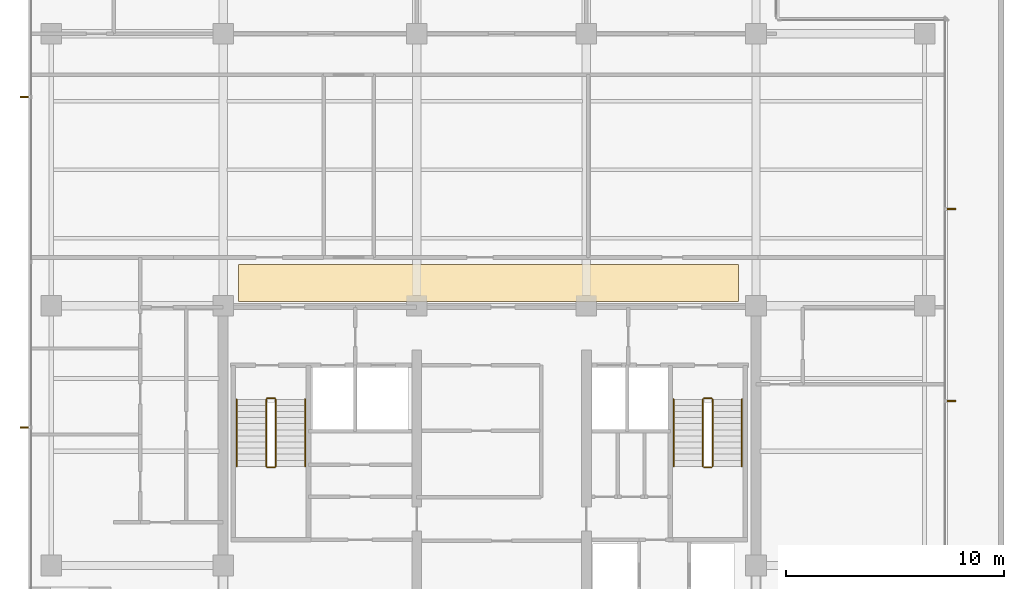
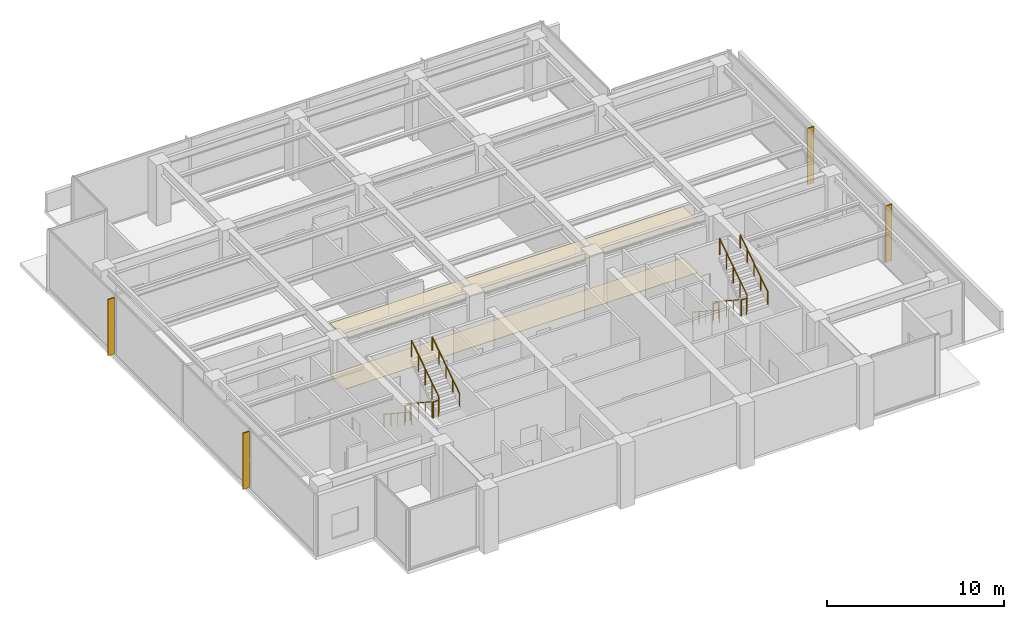
# One storey, part 13 of 14: 12 railings, 4 shading devices, 2 coverings.
"""IFC4 building model written with IfcOpenShell, lengths in metres."""

from ifc_helpers import new_model, si_unit, direction, frame, origin, origin_2d, place, context, subcontext, project, spatial, polyline, circle, outline, extrude, material, layer, layer_set, type_object, element, save


model = new_model("IFC4")

# Units and contexts
model_context = context("Model", 3, precision=1e-05, world=origin(), true_north=direction((0.0, 1.0)))
body_context = subcontext(model_context, "Body", "Model", "MODEL_VIEW")
ifc_project = project(units=[si_unit("LENGTHUNIT", "METRE"), si_unit("AREAUNIT", "SQUARE_METRE"), si_unit("VOLUMEUNIT", "CUBIC_METRE"), si_unit("PLANEANGLEUNIT", "RADIAN"), si_unit("MASSUNIT", "GRAM", prefix="KILO")], contexts=[model_context])

# Site, building, storey
site_placement = place(None, origin())
site = spatial("IfcSite", under=ifc_project, at=site_placement, CompositionType="ELEMENT")
building_placement = place(site_placement, origin())
building = spatial("IfcBuilding", under=site, at=building_placement, Name="Qalmaran Belvedere Hotel", CompositionType="ELEMENT")
storey_placement = place(building_placement, frame((0.0, 0.0, 192.5)))
storey = spatial("IfcBuildingStorey", under=building, at=storey_placement, Name="L48", CompositionType="ELEMENT", Elevation=192.5)

# Covering
ifc_material_1 = material(Name="Acoustic Mineral Ceiling")
ifc_layer_1 = layer(ifc_material_1, 0.0400390625, Name="Acoustic Mineral Ceiling")
ifc_layer_set_1 = layer_set([ifc_layer_1], Name="Acoustic Mineral Ceiling")
covering_type_1 = type_object("IfcCoveringType", Name="CLG-ACOUSTIC-40", PredefinedType="CEILING", material=ifc_layer_set_1)
covering_1_placement = place(storey_placement, frame((0.0, 0.0, 3.510009765625)))
element("IfcCovering", 1, at=covering_1_placement, inside=storey, type_object=covering_type_1, Name="L48 Acoustic Corridor Ceiling", PredefinedType="CEILING", context=body_context, shape_type="SweptSolid", body=[
    extrude(outline(polyline([(21.0, 20.699951171875), (44.0, 20.699951171875), (44.0, 22.39990234375), (21.0, 22.39990234375), (21.0, 20.699951171875)])), origin(), (0.0, 0.0, 1.0), 0.0400390625),
])

# Shading devices
ifc_material_2 = material(Name="Anodised Bronze Aluminium", Category="aluminium")
ifc_layer_2 = layer(ifc_material_2, 0.06494140625, Name="Anodised Bronze Aluminium")
ifc_layer_set_2 = layer_set([ifc_layer_2], Name="Anodised Bronze Aluminium")
shading_device_type = type_object("IfcShadingDeviceType", Name="FIN-BRNZ-420", PredefinedType="USERDEFINED", material=ifc_layer_set_2)
shading_device_1_placement = place(storey_placement, frame((0.0, 0.0, 0.159912109375)))
element("IfcShadingDevice", 2, at=shading_device_1_placement, inside=storey, type_object=shading_device_type, Name="L48 Bronze Fin 1", ObjectType="FIN", PredefinedType="USERDEFINED", context=body_context, shape_type="SweptSolid", body=[
    extrude(outline(polyline([(53.5673828125, 16.084228515625), (53.987548828125, 16.084228515625), (53.987548828125, 16.149169921875), (53.5673828125, 16.149169921875), (53.5673828125, 16.084228515625)])), origin(), (0.0, 0.0, 1.0), 3.880126953125),
])
shading_device_2_placement = place(storey_placement, frame((0.0, 0.0, 0.159912109375)))
element("IfcShadingDevice", 3, at=shading_device_2_placement, inside=storey, type_object=shading_device_type, Name="L48 Bronze Fin 2", ObjectType="FIN", PredefinedType="USERDEFINED", context=body_context, shape_type="SweptSolid", body=[
    extrude(outline(polyline([(53.5673828125, 24.90087890625), (53.987548828125, 24.90087890625), (53.987548828125, 24.9658203125), (53.5673828125, 24.9658203125), (53.5673828125, 24.90087890625)])), origin(), (0.0, 0.0, 1.0), 3.880126953125),
])
shading_device_3_placement = place(storey_placement, frame((0.0, 0.0, 0.159912109375)))
element("IfcShadingDevice", 4, at=shading_device_3_placement, inside=storey, type_object=shading_device_type, Name="L48 Bronze Fin 1", ObjectType="FIN", PredefinedType="USERDEFINED", context=body_context, shape_type="SweptSolid", body=[
    extrude(outline(polyline([(11.382568359375, 30.132568359375), (10.96240234375, 30.132568359375), (10.96240234375, 30.0673828125), (11.382568359375, 30.0673828125), (11.382568359375, 30.132568359375)])), origin(), (0.0, 0.0, 1.0), 3.880126953125),
])
shading_device_4_placement = place(storey_placement, frame((0.0, 0.0, 0.159912109375)))
element("IfcShadingDevice", 5, at=shading_device_4_placement, inside=storey, type_object=shading_device_type, Name="L48 Bronze Fin 3", ObjectType="FIN", PredefinedType="USERDEFINED", context=body_context, shape_type="SweptSolid", body=[
    extrude(outline(polyline([(11.382568359375, 14.9326171875), (10.96240234375, 14.9326171875), (10.96240234375, 14.867431640625), (11.382568359375, 14.867431640625), (11.382568359375, 14.9326171875)])), origin(), (0.0, 0.0, 1.0), 3.880126953125),
])

# Covering
ifc_material_3 = material(Name="Polished Stone Terrazzo", Category="masonry")
ifc_layer_3 = layer(ifc_material_3, 0.01806640625, Name="Polished Stone Terrazzo")
ifc_layer_set_3 = layer_set([ifc_layer_3], Name="Polished Stone Terrazzo")
covering_type_2 = type_object("IfcCoveringType", Name="FIN-TERRAZZO-18", PredefinedType="FLOORING", material=ifc_layer_set_3)
covering_2_placement = place(storey_placement, frame((0.0, 0.0, 0.001953125)))
element("IfcCovering", 6, at=covering_2_placement, inside=storey, type_object=covering_type_2, Name="L48 Limestone Corridor Flooring", PredefinedType="FLOORING", context=body_context, shape_type="SweptSolid", body=[
    extrude(outline(polyline([(21.0, 20.699951171875), (44.0, 20.699951171875), (44.0, 22.39990234375), (21.0, 22.39990234375), (21.0, 20.699951171875)])), origin(), (0.0, 0.0, 1.0), 0.01806640625),
])

# Railings
ifc_material_4 = material(Name="Stainless Steel 1.4401", Category="steel")
railing_type_1 = type_object("IfcRailingType", Name="RLG-STAIR-GUARD-1150", PredefinedType="GUARDRAIL", material=ifc_material_4)
railing_1_placement = place(storey_placement, frame((22.280029296875, 16.18994140625, 0.183349609375)))
element("IfcRailing", 7, at=railing_1_placement, inside=storey, type_object=railing_type_1, Name="L48 ST-1 stair guard 1", PredefinedType="GUARDRAIL", context=body_context, shape_type="SweptSolid", body=[
    extrude(circle(Radius=0.02392578125, at=origin_2d()), frame((0.0, 0.0, 1.1259765625), z_axis=(0.0, -0.836613101238, 0.547794230379), x_axis=(1.0, 0.0, 0.0)), (0.0, 0.0, 1.0), 3.681396484375),
    extrude(circle(Radius=0.02099609375, at=origin_2d()), origin(), (0.0, 0.0, 1.0), 1.101806640625),
    extrude(circle(Radius=0.02099609375, at=origin_2d()), frame((0.0, -0.77001953125, 0.504150390625)), (0.0, 0.0, 1.0), 1.101806640625),
    extrude(circle(Radius=0.02099609375, at=origin_2d()), frame((0.0, -1.5400390625, 1.00830078125)), (0.0, 0.0, 1.0), 1.101806640625),
    extrude(circle(Radius=0.02099609375, at=origin_2d()), frame((0.0, -2.309814453125, 1.512451171875)), (0.0, 0.0, 1.0), 1.101806640625),
    extrude(circle(Radius=0.02099609375, at=origin_2d()), frame((0.0, -3.079833984375, 2.0166015625)), (0.0, 0.0, 1.0), 1.101806640625),
])
railing_2_placement = place(storey_placement, frame((22.330078125, 13.06005859375, 2.199951171875)))
element("IfcRailing", 8, at=railing_2_placement, inside=storey, type_object=railing_type_1, Name="L48 ST-1 stair guard 2", PredefinedType="GUARDRAIL", context=body_context, shape_type="SweptSolid", body=[
    extrude(circle(Radius=0.02392578125, at=origin_2d()), frame((0.0, 0.0, 1.1259765625), z_axis=(1.0, 0.0, 0.0), x_axis=(0.0, 1.0, 0.0)), (0.0, 0.0, 1.0), 0.33984375),
    extrude(circle(Radius=0.02099609375, at=origin_2d()), origin(), (0.0, 0.0, 1.0), 1.101806640625),
    extrude(circle(Radius=0.02099609375, at=origin_2d()), frame((0.33984375, 0.0, 0.0)), (0.0, 0.0, 1.0), 1.101806640625),
])
railing_3_placement = place(storey_placement, frame((22.719970703125, 13.110107421875, 2.38330078125)))
element("IfcRailing", 9, at=railing_3_placement, inside=storey, type_object=railing_type_1, Name="L48 ST-1 stair guard 3", PredefinedType="GUARDRAIL", context=body_context, shape_type="SweptSolid", body=[
    extrude(circle(Radius=0.02392578125, at=origin_2d()), frame((0.0, 0.0, 1.1259765625), z_axis=(0.0, 0.836613101238, 0.547794230379), x_axis=(-1.0, 0.0, 0.0)), (0.0, 0.0, 1.0), 3.681396484375),
    extrude(circle(Radius=0.02099609375, at=origin_2d()), origin(), (0.0, 0.0, 1.0), 1.101806640625),
    extrude(circle(Radius=0.02099609375, at=origin_2d()), frame((0.0, 0.77001953125, 0.504150390625)), (0.0, 0.0, 1.0), 1.101806640625),
    extrude(circle(Radius=0.02099609375, at=origin_2d()), frame((0.0, 1.5400390625, 1.00830078125)), (0.0, 0.0, 1.0), 1.101806640625),
    extrude(circle(Radius=0.02099609375, at=origin_2d()), frame((0.0, 2.309814453125, 1.512451171875)), (0.0, 0.0, 1.0), 1.101806640625),
    extrude(circle(Radius=0.02099609375, at=origin_2d()), frame((0.0, 3.079833984375, 2.0166015625)), (0.0, 0.0, 1.0), 1.101806640625),
])
railing_4_placement = place(storey_placement, frame((22.330078125, 16.239990234375, 0.0)))
element("IfcRailing", 10, at=railing_4_placement, inside=storey, type_object=railing_type_1, Name="L48 ST-1 stair guard 4", PredefinedType="GUARDRAIL", context=body_context, shape_type="SweptSolid", body=[
    extrude(circle(Radius=0.02392578125, at=origin_2d()), frame((0.0, 0.0, 1.1259765625), z_axis=(1.0, 0.0, 0.0), x_axis=(0.0, 1.0, 0.0)), (0.0, 0.0, 1.0), 0.33984375),
    extrude(circle(Radius=0.02099609375, at=origin_2d()), origin(), (0.0, 0.0, 1.0), 1.101806640625),
    extrude(circle(Radius=0.02099609375, at=origin_2d()), frame((0.33984375, 0.0, 0.0)), (0.0, 0.0, 1.0), 1.101806640625),
])
railing_5_placement = place(storey_placement, frame((42.360107421875, 16.18994140625, 0.183349609375)))
element("IfcRailing", 11, at=railing_5_placement, inside=storey, type_object=railing_type_1, Name="L48 ST-2 stair guard 1", PredefinedType="GUARDRAIL", context=body_context, shape_type="SweptSolid", body=[
    extrude(circle(Radius=0.02392578125, at=origin_2d()), frame((0.0, 0.0, 1.1259765625), z_axis=(0.0, -0.836613101238, 0.547794230379), x_axis=(1.0, 0.0, 0.0)), (0.0, 0.0, 1.0), 3.681396484375),
    extrude(circle(Radius=0.02099609375, at=origin_2d()), origin(), (0.0, 0.0, 1.0), 1.101806640625),
    extrude(circle(Radius=0.02099609375, at=origin_2d()), frame((0.0, -0.77001953125, 0.504150390625)), (0.0, 0.0, 1.0), 1.101806640625),
    extrude(circle(Radius=0.02099609375, at=origin_2d()), frame((0.0, -1.5400390625, 1.00830078125)), (0.0, 0.0, 1.0), 1.101806640625),
    extrude(circle(Radius=0.02099609375, at=origin_2d()), frame((0.0, -2.309814453125, 1.512451171875)), (0.0, 0.0, 1.0), 1.101806640625),
    extrude(circle(Radius=0.02099609375, at=origin_2d()), frame((0.0, -3.079833984375, 2.0166015625)), (0.0, 0.0, 1.0), 1.101806640625),
])
railing_6_placement = place(storey_placement, frame((42.409912109375, 13.06005859375, 2.199951171875)))
element("IfcRailing", 12, at=railing_6_placement, inside=storey, type_object=railing_type_1, Name="L48 ST-2 stair guard 2", PredefinedType="GUARDRAIL", context=body_context, shape_type="SweptSolid", body=[
    extrude(circle(Radius=0.02392578125, at=origin_2d()), frame((0.0, 0.0, 1.1259765625), z_axis=(1.0, 0.0, 0.0), x_axis=(0.0, 1.0, 0.0)), (0.0, 0.0, 1.0), 0.340087890625),
    extrude(circle(Radius=0.02099609375, at=origin_2d()), origin(), (0.0, 0.0, 1.0), 1.101806640625),
    extrude(circle(Radius=0.02099609375, at=origin_2d()), frame((0.340087890625, 0.0, 0.0)), (0.0, 0.0, 1.0), 1.101806640625),
])
railing_7_placement = place(storey_placement, frame((42.800048828125, 13.110107421875, 2.38330078125)))
element("IfcRailing", 13, at=railing_7_placement, inside=storey, type_object=railing_type_1, Name="L48 ST-2 stair guard 3", PredefinedType="GUARDRAIL", context=body_context, shape_type="SweptSolid", body=[
    extrude(circle(Radius=0.02392578125, at=origin_2d()), frame((0.0, 0.0, 1.1259765625), z_axis=(0.0, 0.836613101238, 0.547794230379), x_axis=(-1.0, 0.0, 0.0)), (0.0, 0.0, 1.0), 3.681396484375),
    extrude(circle(Radius=0.02099609375, at=origin_2d()), origin(), (0.0, 0.0, 1.0), 1.101806640625),
    extrude(circle(Radius=0.02099609375, at=origin_2d()), frame((0.0, 0.77001953125, 0.504150390625)), (0.0, 0.0, 1.0), 1.101806640625),
    extrude(circle(Radius=0.02099609375, at=origin_2d()), frame((0.0, 1.5400390625, 1.00830078125)), (0.0, 0.0, 1.0), 1.101806640625),
    extrude(circle(Radius=0.02099609375, at=origin_2d()), frame((0.0, 2.309814453125, 1.512451171875)), (0.0, 0.0, 1.0), 1.101806640625),
    extrude(circle(Radius=0.02099609375, at=origin_2d()), frame((0.0, 3.079833984375, 2.0166015625)), (0.0, 0.0, 1.0), 1.101806640625),
])
railing_8_placement = place(storey_placement, frame((42.409912109375, 16.239990234375, 0.0)))
element("IfcRailing", 14, at=railing_8_placement, inside=storey, type_object=railing_type_1, Name="L48 ST-2 stair guard 4", PredefinedType="GUARDRAIL", context=body_context, shape_type="SweptSolid", body=[
    extrude(circle(Radius=0.02392578125, at=origin_2d()), frame((0.0, 0.0, 1.1259765625), z_axis=(1.0, 0.0, 0.0), x_axis=(0.0, 1.0, 0.0)), (0.0, 0.0, 1.0), 0.340087890625),
    extrude(circle(Radius=0.02099609375, at=origin_2d()), origin(), (0.0, 0.0, 1.0), 1.101806640625),
    extrude(circle(Radius=0.02099609375, at=origin_2d()), frame((0.340087890625, 0.0, 0.0)), (0.0, 0.0, 1.0), 1.101806640625),
])
railing_type_2 = type_object("IfcRailingType", Name="RLG-STAIR-HAND-910", PredefinedType="HANDRAIL", material=ifc_material_4)
railing_9_placement = place(storey_placement, frame((20.929931640625, 16.18994140625, 0.183349609375)))
element("IfcRailing", 15, at=railing_9_placement, inside=storey, type_object=railing_type_2, Name="L48 ST-1 stair handrail 1", PredefinedType="HANDRAIL", context=body_context, shape_type="SweptSolid", body=[
    extrude(circle(Radius=0.02392578125, at=origin_2d()), frame((0.0, 0.0, 0.8857421875), z_axis=(0.0, -0.836613101238, 0.547794230379), x_axis=(1.0, 0.0, 0.0)), (0.0, 0.0, 1.0), 3.681396484375),
    extrude(circle(Radius=0.02099609375, at=origin_2d()), origin(), (0.0, 0.0, 1.0), 0.86181640625),
    extrude(circle(Radius=0.02099609375, at=origin_2d()), frame((0.0, -0.77001953125, 0.504150390625)), (0.0, 0.0, 1.0), 0.86181640625),
    extrude(circle(Radius=0.02099609375, at=origin_2d()), frame((0.0, -1.5400390625, 1.00830078125)), (0.0, 0.0, 1.0), 0.86181640625),
    extrude(circle(Radius=0.02099609375, at=origin_2d()), frame((0.0, -2.309814453125, 1.512451171875)), (0.0, 0.0, 1.0), 0.86181640625),
    extrude(circle(Radius=0.02099609375, at=origin_2d()), frame((0.0, -3.079833984375, 2.0166015625)), (0.0, 0.0, 1.0), 0.86181640625),
])
railing_10_placement = place(storey_placement, frame((24.070068359375, 13.110107421875, 2.38330078125)))
element("IfcRailing", 16, at=railing_10_placement, inside=storey, type_object=railing_type_2, Name="L48 ST-1 stair handrail 2", PredefinedType="HANDRAIL", context=body_context, shape_type="SweptSolid", body=[
    extrude(circle(Radius=0.02392578125, at=origin_2d()), frame((0.0, 0.0, 0.8857421875), z_axis=(0.0, 0.836613101238, 0.547794230379), x_axis=(-1.0, 0.0, 0.0)), (0.0, 0.0, 1.0), 3.681396484375),
    extrude(circle(Radius=0.02099609375, at=origin_2d()), origin(), (0.0, 0.0, 1.0), 0.86181640625),
    extrude(circle(Radius=0.02099609375, at=origin_2d()), frame((0.0, 0.77001953125, 0.504150390625)), (0.0, 0.0, 1.0), 0.86181640625),
    extrude(circle(Radius=0.02099609375, at=origin_2d()), frame((0.0, 1.5400390625, 1.00830078125)), (0.0, 0.0, 1.0), 0.86181640625),
    extrude(circle(Radius=0.02099609375, at=origin_2d()), frame((0.0, 2.309814453125, 1.512451171875)), (0.0, 0.0, 1.0), 0.86181640625),
    extrude(circle(Radius=0.02099609375, at=origin_2d()), frame((0.0, 3.079833984375, 2.0166015625)), (0.0, 0.0, 1.0), 0.86181640625),
])
railing_11_placement = place(storey_placement, frame((41.010009765625, 16.18994140625, 0.183349609375)))
element("IfcRailing", 17, at=railing_11_placement, inside=storey, type_object=railing_type_2, Name="L48 ST-2 stair handrail 1", PredefinedType="HANDRAIL", context=body_context, shape_type="SweptSolid", body=[
    extrude(circle(Radius=0.02392578125, at=origin_2d()), frame((0.0, 0.0, 0.8857421875), z_axis=(0.0, -0.836613101238, 0.547794230379), x_axis=(1.0, 0.0, 0.0)), (0.0, 0.0, 1.0), 3.681396484375),
    extrude(circle(Radius=0.02099609375, at=origin_2d()), origin(), (0.0, 0.0, 1.0), 0.86181640625),
    extrude(circle(Radius=0.02099609375, at=origin_2d()), frame((0.0, -0.77001953125, 0.504150390625)), (0.0, 0.0, 1.0), 0.86181640625),
    extrude(circle(Radius=0.02099609375, at=origin_2d()), frame((0.0, -1.5400390625, 1.00830078125)), (0.0, 0.0, 1.0), 0.86181640625),
    extrude(circle(Radius=0.02099609375, at=origin_2d()), frame((0.0, -2.309814453125, 1.512451171875)), (0.0, 0.0, 1.0), 0.86181640625),
    extrude(circle(Radius=0.02099609375, at=origin_2d()), frame((0.0, -3.079833984375, 2.0166015625)), (0.0, 0.0, 1.0), 0.86181640625),
])
railing_12_placement = place(storey_placement, frame((44.14990234375, 13.110107421875, 2.38330078125)))
element("IfcRailing", 18, at=railing_12_placement, inside=storey, type_object=railing_type_2, Name="L48 ST-2 stair handrail 2", PredefinedType="HANDRAIL", context=body_context, shape_type="SweptSolid", body=[
    extrude(circle(Radius=0.02392578125, at=origin_2d()), frame((0.0, 0.0, 0.8857421875), z_axis=(0.0, 0.836613101238, 0.547794230379), x_axis=(-1.0, 0.0, 0.0)), (0.0, 0.0, 1.0), 3.681396484375),
    extrude(circle(Radius=0.02099609375, at=origin_2d()), origin(), (0.0, 0.0, 1.0), 0.86181640625),
    extrude(circle(Radius=0.02099609375, at=origin_2d()), frame((0.0, 0.77001953125, 0.504150390625)), (0.0, 0.0, 1.0), 0.86181640625),
    extrude(circle(Radius=0.02099609375, at=origin_2d()), frame((0.0, 1.5400390625, 1.00830078125)), (0.0, 0.0, 1.0), 0.86181640625),
    extrude(circle(Radius=0.02099609375, at=origin_2d()), frame((0.0, 2.309814453125, 1.512451171875)), (0.0, 0.0, 1.0), 0.86181640625),
    extrude(circle(Radius=0.02099609375, at=origin_2d()), frame((0.0, 3.079833984375, 2.0166015625)), (0.0, 0.0, 1.0), 0.86181640625),
])

save(model, "model.ifc")
